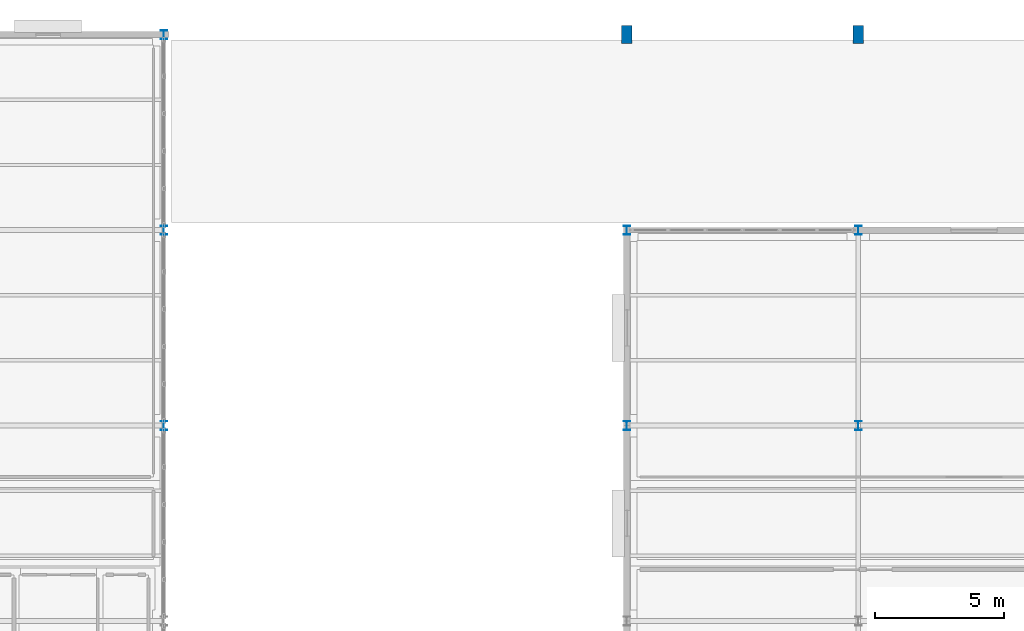
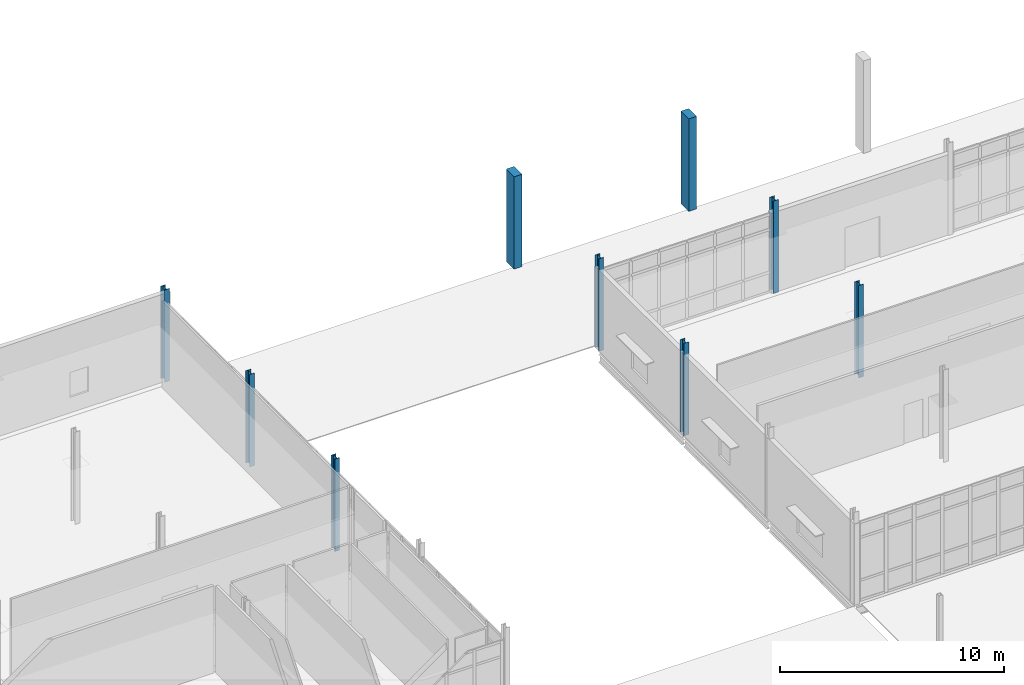
# One storey, part 19 of 161: 9 columns.
"""IFC4 building model written with IfcOpenShell, lengths in metres."""

from ifc_helpers import new_model, si_unit, direction, frame, origin, origin_2d, place, context, subcontext, project, spatial, rectangle, i_section, extrude, material, material_profile, profile_set, type_object, element, save


model = new_model("IFC4")

# Units and contexts
model_context = context("Model", 3, precision=1e-05, world=origin(), true_north=direction((0.0, 1.0)))
body_context = subcontext(model_context, "Body", "Model", "MODEL_VIEW")
ifc_project = project(units=[si_unit("LENGTHUNIT", "METRE"), si_unit("AREAUNIT", "SQUARE_METRE"), si_unit("VOLUMEUNIT", "CUBIC_METRE"), si_unit("PLANEANGLEUNIT", "RADIAN"), si_unit("MASSUNIT", "GRAM", prefix="KILO")], contexts=[model_context])

# Site, building, storey
site_placement = place(None, origin())
site = spatial("IfcSite", under=ifc_project, at=site_placement, CompositionType="ELEMENT")
building_placement = place(site_placement, origin())
building = spatial("IfcBuilding", under=site, at=building_placement, Name="Caisbarro Railhouse Central Library", CompositionType="ELEMENT")
storey_placement = place(building_placement, origin())
storey = spatial("IfcBuildingStorey", under=building, at=storey_placement, Name="L00", CompositionType="ELEMENT", Elevation=0.0)

# Columns
ifc_material_1 = material(Name="Steel ASTM A572 Grade 50", Category="steel")
ifc_material_profile_1 = material_profile(ifc_material_1, i_section(OverallWidth=0.25390625, OverallDepth=0.35302734375, WebThickness=0.009521484375, FlangeThickness=0.016357421875, FilletRadius=0.014892578125, at=origin_2d()), Name="W360X91.0")
ifc_profile_set_1 = profile_set([ifc_material_profile_1], Name="Steel ASTM A572 Grade 50")
column_type_1 = type_object("IfcColumnType", Name="COL-C05", PredefinedType="COLUMN", material=ifc_profile_set_1)
for number, where, z_axis, x_axis, name in (
    (1, (36.0, 98.800048828125, 0.0), (0.0, 0.0, 1.0), (1.0, 0.0, 0.0), "C05 column L00 (36.0,98.8)"),
    (2, (36.0, 106.39990234375, 0.0), (0.0, 0.0, 1.0), (1.0, 0.0, 0.0), "C05 column L00 (36.0,106.4)"),
    (3, (36.0, 114.0, 0.0), (0.0, 0.0, 1.0), (1.0, 0.0, 0.0), "C05 column L00 (36.0,114.0)"),
    (4, (54.0, 98.800048828125, 0.0), (0.0, 0.0, 1.0), (1.0, 0.0, 0.0), "C05 column L00 (54.0,98.8)"),
    (5, (54.0, 106.39990234375, 0.0), (0.0, 0.0, 1.0), (1.0, 0.0, 0.0), "C05 column L00 (54.0,106.4)"),
    (6, (63.0, 98.800048828125, 0.0), (0.0, 0.0, 1.0), (1.0, 0.0, 0.0), "C05 column L00 (63.0,98.8)"),
    (7, (63.0, 106.39990234375, 0.0), (0.0, 0.0, 1.0), (1.0, 0.0, 0.0), "C05 column L00 (63.0,106.4)"),
):
    element("IfcColumn", number, at=place(storey_placement, frame(where, z_axis=z_axis, x_axis=x_axis)), inside=storey, type_object=column_type_1, Name=name, PredefinedType="COLUMN", context=body_context, shape_type="SweptSolid", body=[
        extrude(i_section(OverallWidth=0.25390625, OverallDepth=0.35302734375, WebThickness=0.009521484375, FlangeThickness=0.016357421875, FilletRadius=0.014892578125, at=origin_2d()), origin(), (0.0, 0.0, 1.0), 5.0400390625),
    ])
ifc_material_2 = material(Name="Concrete C40", Category="concrete")
ifc_material_profile_2 = material_profile(ifc_material_2, rectangle(XDim=0.39990234375, YDim=0.699951171875, at=origin_2d()), Name="RC-PIL-400X700")
ifc_profile_set_2 = profile_set([ifc_material_profile_2], Name="Concrete C40")
column_type_2 = type_object("IfcColumnType", Name="PIL-P02", PredefinedType="PILASTER", material=ifc_profile_set_2)
for number, where, z_axis, x_axis, name in (
    (8, (54.0, 114.0, 0.0), (0.0, 0.0, 1.0), (1.0, 0.0, 0.0), "PL02 column L00 (54.0,114.0)"),
    (9, (63.0, 114.0, 0.0), (0.0, 0.0, 1.0), (1.0, 0.0, 0.0), "PL02 column L00 (63.0,114.0)"),
):
    element("IfcColumn", number, at=place(storey_placement, frame(where, z_axis=z_axis, x_axis=x_axis)), inside=storey, type_object=column_type_2, Name=name, PredefinedType="PILASTER", context=body_context, shape_type="SweptSolid", body=[
        extrude(rectangle(XDim=0.39990234375, YDim=0.699951171875, at=origin_2d()), origin(), (0.0, 0.0, 1.0), 5.0400390625),
    ])

save(model, "model.ifc")
